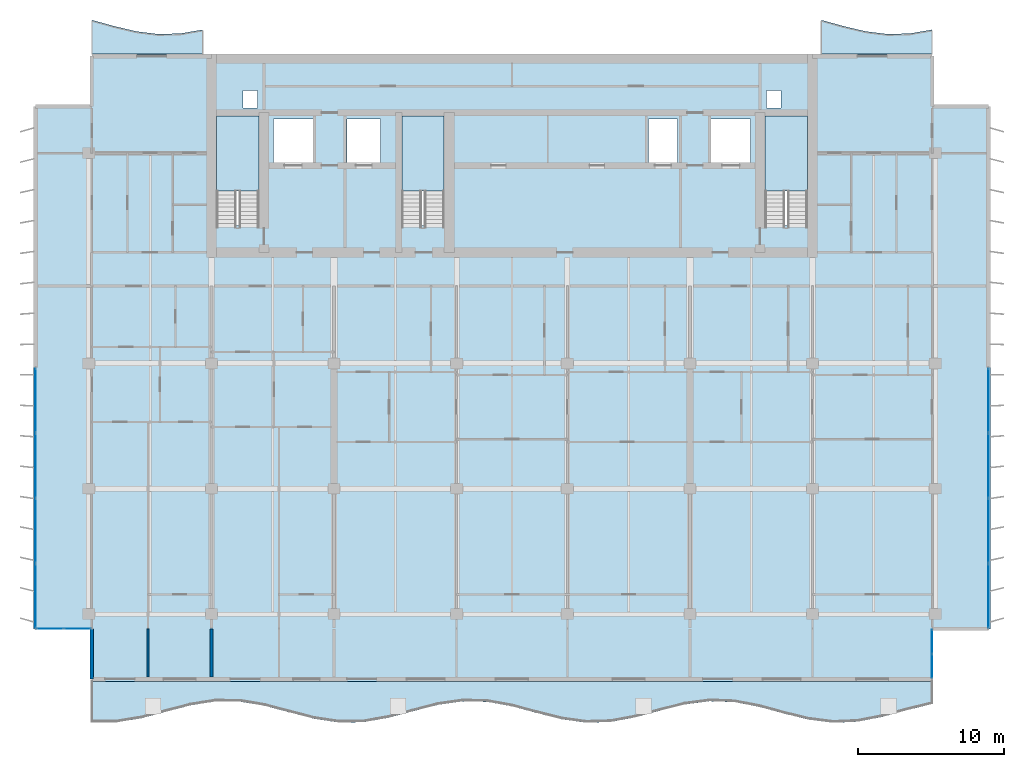
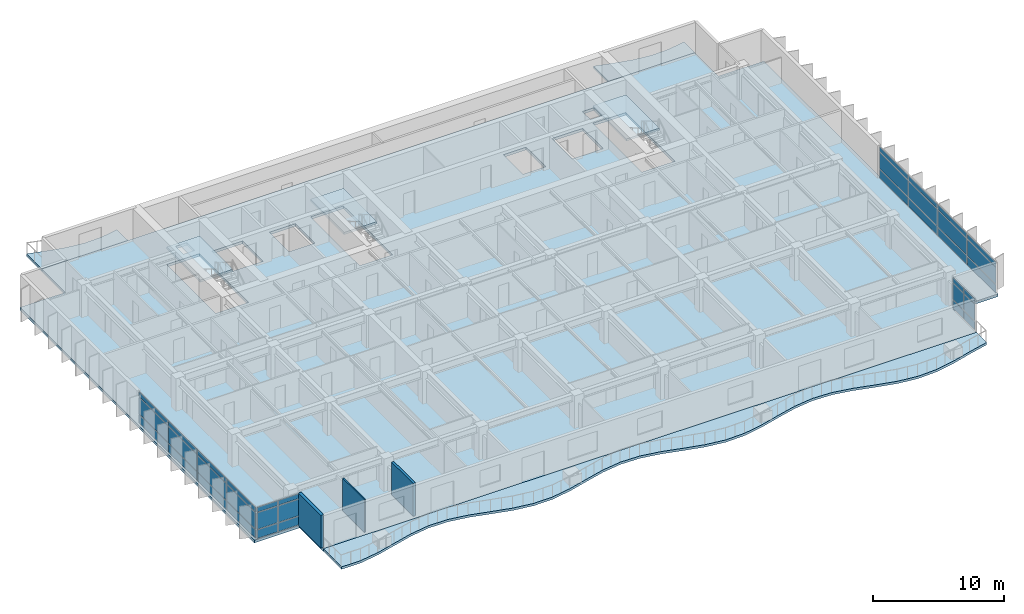
# One storey, part 6 of 16: 36 plates, 7 slabs, 3 walls, 7 elements without a shape of their own.
"""IFC4 building model written with IfcOpenShell, lengths in metres."""

from ifc_helpers import new_model, si_unit, direction, frame, frame_2d, origin, origin_2d, place, context, subcontext, project, spatial, polyline, rectangle, outline, extrude, material, layer, layer_set, type_object, element, aggregate, save


model = new_model("IFC4")

# Units and contexts
model_context = context("Model", 3, precision=1e-05, world=origin(), true_north=direction((0.0, 1.0)))
body_context = subcontext(model_context, "Body", "Model", "MODEL_VIEW")
ifc_project = project(units=[si_unit("LENGTHUNIT", "METRE"), si_unit("AREAUNIT", "SQUARE_METRE"), si_unit("VOLUMEUNIT", "CUBIC_METRE"), si_unit("PLANEANGLEUNIT", "RADIAN"), si_unit("MASSUNIT", "GRAM", prefix="KILO")], contexts=[model_context])

# Site, building, storey
site_placement = place(None, origin())
site = spatial("IfcSite", under=ifc_project, at=site_placement, CompositionType="ELEMENT")
building_placement = place(site_placement, origin())
building = spatial("IfcBuilding", under=site, at=building_placement, Name="Caelmar Bay Residences", CompositionType="ELEMENT")
storey_placement = place(building_placement, frame((0.0, 0.0, 198.300048828125)))
storey = spatial("IfcBuildingStorey", under=building, at=storey_placement, Name="L55", CompositionType="ELEMENT", Elevation=198.300048828125)

# Curtain wall, plates
ifc_material_1 = material(Name="Anodised bronze aluminium 6063-T6 and laminated glass", Category="aluminium")
ifc_layer_1 = layer(ifc_material_1, 0.179931640625)
ifc_layer_set_1 = layer_set([ifc_layer_1], Name="Anodised bronze aluminium 6063-T6 and laminated glass")
curtain_wall_type_1 = type_object("IfcCurtainWallType", Name="CW6-NTC", PredefinedType="NOTDEFINED", material=ifc_layer_set_1)
curtain_wall_1_placement = place(storey_placement, origin())
curtain_wall_1 = element("IfcCurtainWall", 1, at=curtain_wall_1_placement, inside=storey, type_object=curtain_wall_type_1, Name="CW6 curtain wall L55", PredefinedType="NOTDEFINED")
ifc_material_2 = material(Name="Bronze-tinted laminated low-E hurricane glass 28 mm", Category="glass")
ifc_layer_2 = layer(ifc_material_2, 0.028076171875)
ifc_layer_set_2 = layer_set([ifc_layer_2], Name="Bronze-tinted laminated low-E hurricane glass 28 mm")
plate_type = type_object("IfcPlateType", Name="CWP-GLZ28", PredefinedType="CURTAIN_PANEL", material=ifc_layer_set_2)
plate_1_placement = place(storey_placement, frame((7.232421875, 11.199951171875, 0.080078125), z_axis=(0.0, 0.0, 1.0), x_axis=(1.0, 0.0, 0.0)))
plate_1 = element("IfcPlate", 2, at=plate_1_placement, type_object=plate_type, Name="CW6 panel 1.1", PredefinedType="CURTAIN_PANEL", context=body_context, shape_type="SweptSolid", body=[
    extrude(rectangle(XDim=1.804931640625, YDim=0.028076171875, at=origin_2d()), origin(), (0.0, 0.0, 1.0), 0.780029296875),
])
plate_2_placement = place(storey_placement, frame((7.232421875, 11.199951171875, 0.93994140625), z_axis=(0.0, 0.0, 1.0), x_axis=(1.0, 0.0, 0.0)))
plate_2 = element("IfcPlate", 3, at=plate_2_placement, type_object=plate_type, Name="CW6 panel 1.2", PredefinedType="CURTAIN_PANEL", context=body_context, shape_type="SweptSolid", body=[
    extrude(rectangle(XDim=1.804931640625, YDim=0.028076171875, at=origin_2d()), origin(), (0.0, 0.0, 1.0), 1.52001953125),
])
plate_3_placement = place(storey_placement, frame((7.232421875, 11.199951171875, 2.5400390625), z_axis=(0.0, 0.0, 1.0), x_axis=(1.0, 0.0, 0.0)))
plate_3 = element("IfcPlate", 4, at=plate_3_placement, type_object=plate_type, Name="CW6 panel 1.3", PredefinedType="CURTAIN_PANEL", context=body_context, shape_type="SweptSolid", body=[
    extrude(rectangle(XDim=1.804931640625, YDim=0.028076171875, at=origin_2d()), origin(), (0.0, 0.0, 1.0), 0.429931640625),
])
plate_4_placement = place(storey_placement, frame((9.117431640625, 11.199951171875, 0.080078125), z_axis=(0.0, 0.0, 1.0), x_axis=(1.0, 0.0, 0.0)))
plate_4 = element("IfcPlate", 5, at=plate_4_placement, type_object=plate_type, Name="CW6 panel 2.1", PredefinedType="CURTAIN_PANEL", context=body_context, shape_type="SweptSolid", body=[
    extrude(rectangle(XDim=1.804931640625, YDim=0.028076171875, at=origin_2d()), origin(), (0.0, 0.0, 1.0), 0.780029296875),
])
plate_5_placement = place(storey_placement, frame((9.117431640625, 11.199951171875, 0.93994140625), z_axis=(0.0, 0.0, 1.0), x_axis=(1.0, 0.0, 0.0)))
plate_5 = element("IfcPlate", 6, at=plate_5_placement, type_object=plate_type, Name="CW6 panel 2.2", PredefinedType="CURTAIN_PANEL", context=body_context, shape_type="SweptSolid", body=[
    extrude(rectangle(XDim=1.804931640625, YDim=0.028076171875, at=origin_2d()), origin(), (0.0, 0.0, 1.0), 1.52001953125),
])
plate_6_placement = place(storey_placement, frame((9.117431640625, 11.199951171875, 2.5400390625), z_axis=(0.0, 0.0, 1.0), x_axis=(1.0, 0.0, 0.0)))
plate_6 = element("IfcPlate", 7, at=plate_6_placement, type_object=plate_type, Name="CW6 panel 2.3", PredefinedType="CURTAIN_PANEL", context=body_context, shape_type="SweptSolid", body=[
    extrude(rectangle(XDim=1.804931640625, YDim=0.028076171875, at=origin_2d()), origin(), (0.0, 0.0, 1.0), 0.429931640625),
])
aggregate(curtain_wall_1, [plate_1, plate_2, plate_3, plate_4, plate_5, plate_6])

curtain_wall_2_placement = place(storey_placement, origin())
curtain_wall_2 = element("IfcCurtainWall", 8, at=curtain_wall_2_placement, inside=storey, type_object=curtain_wall_type_1, Name="CW6 curtain wall L55", PredefinedType="NOTDEFINED")
plate_7_placement = place(storey_placement, frame((67.699951171875, 8.632568359375, 0.080078125), z_axis=(0.0, 0.0, 1.0), x_axis=(0.0, 1.0, 0.0)))
plate_7 = element("IfcPlate", 9, at=plate_7_placement, type_object=plate_type, Name="CW6 panel 1.1", PredefinedType="CURTAIN_PANEL", context=body_context, shape_type="SweptSolid", body=[
    extrude(rectangle(XDim=1.60498046875, YDim=0.028076171875, at=origin_2d()), origin(), (0.0, 0.0, 1.0), 0.780029296875),
])
plate_8_placement = place(storey_placement, frame((67.699951171875, 8.632568359375, 0.93994140625), z_axis=(0.0, 0.0, 1.0), x_axis=(0.0, 1.0, 0.0)))
plate_8 = element("IfcPlate", 10, at=plate_8_placement, type_object=plate_type, Name="CW6 panel 1.2", PredefinedType="CURTAIN_PANEL", context=body_context, shape_type="SweptSolid", body=[
    extrude(rectangle(XDim=1.60498046875, YDim=0.028076171875, at=origin_2d()), origin(), (0.0, 0.0, 1.0), 1.52001953125),
])
plate_9_placement = place(storey_placement, frame((67.699951171875, 8.632568359375, 2.5400390625), z_axis=(0.0, 0.0, 1.0), x_axis=(0.0, 1.0, 0.0)))
plate_9 = element("IfcPlate", 11, at=plate_9_placement, type_object=plate_type, Name="CW6 panel 1.3", PredefinedType="CURTAIN_PANEL", context=body_context, shape_type="SweptSolid", body=[
    extrude(rectangle(XDim=1.60498046875, YDim=0.028076171875, at=origin_2d()), origin(), (0.0, 0.0, 1.0), 0.429931640625),
])
plate_10_placement = place(storey_placement, frame((67.699951171875, 10.3173828125, 0.080078125), z_axis=(0.0, 0.0, 1.0), x_axis=(0.0, 1.0, 0.0)))
plate_10 = element("IfcPlate", 12, at=plate_10_placement, type_object=plate_type, Name="CW6 panel 2.1", PredefinedType="CURTAIN_PANEL", context=body_context, shape_type="SweptSolid", body=[
    extrude(rectangle(XDim=1.60498046875, YDim=0.028076171875, at=origin_2d()), origin(), (0.0, 0.0, 1.0), 0.780029296875),
])
plate_11_placement = place(storey_placement, frame((67.699951171875, 10.3173828125, 0.93994140625), z_axis=(0.0, 0.0, 1.0), x_axis=(0.0, 1.0, 0.0)))
plate_11 = element("IfcPlate", 13, at=plate_11_placement, type_object=plate_type, Name="CW6 panel 2.2", PredefinedType="CURTAIN_PANEL", context=body_context, shape_type="SweptSolid", body=[
    extrude(rectangle(XDim=1.60498046875, YDim=0.028076171875, at=origin_2d()), origin(), (0.0, 0.0, 1.0), 1.52001953125),
])
plate_12_placement = place(storey_placement, frame((67.699951171875, 10.3173828125, 2.5400390625), z_axis=(0.0, 0.0, 1.0), x_axis=(0.0, 1.0, 0.0)))
plate_12 = element("IfcPlate", 14, at=plate_12_placement, type_object=plate_type, Name="CW6 panel 2.3", PredefinedType="CURTAIN_PANEL", context=body_context, shape_type="SweptSolid", body=[
    extrude(rectangle(XDim=1.60498046875, YDim=0.028076171875, at=origin_2d()), origin(), (0.0, 0.0, 1.0), 0.429931640625),
])
aggregate(curtain_wall_2, [plate_7, plate_8, plate_9, plate_10, plate_11, plate_12])

ifc_layer_3 = layer(ifc_material_1, 0.179931640625)
ifc_layer_set_3 = layer_set([ifc_layer_3], Name="Anodised bronze aluminium 6063-T6 and laminated glass")
curtain_wall_type_2 = type_object("IfcCurtainWallType", Name="CW4-Z3", PredefinedType="NOTDEFINED", material=ifc_layer_set_3)
curtain_wall_3_placement = place(storey_placement, origin())
curtain_wall_3 = element("IfcCurtainWall", 15, at=curtain_wall_3_placement, inside=storey, type_object=curtain_wall_type_2, Name="CW4 curtain wall L55", PredefinedType="NOTDEFINED")
plate_13_placement = place(storey_placement, frame((6.25, 13.45751953125, 0.080078125), z_axis=(0.0, 0.0, 1.0), x_axis=(0.0, 1.0, 0.0)))
plate_13 = element("IfcPlate", 16, at=plate_13_placement, type_object=plate_type, Name="CW4 panel 1.1", PredefinedType="CURTAIN_PANEL", context=body_context, shape_type="SweptSolid", body=[
    extrude(rectangle(XDim=4.35498046875, YDim=0.028076171875, at=origin_2d()), origin(), (0.0, 0.0, 1.0), 0.780029296875),
])
plate_14_placement = place(storey_placement, frame((6.25, 13.45751953125, 0.93994140625), z_axis=(0.0, 0.0, 1.0), x_axis=(0.0, 1.0, 0.0)))
plate_14 = element("IfcPlate", 17, at=plate_14_placement, type_object=plate_type, Name="CW4 panel 1.2", PredefinedType="CURTAIN_PANEL", context=body_context, shape_type="SweptSolid", body=[
    extrude(rectangle(XDim=4.35498046875, YDim=0.028076171875, at=origin_2d()), origin(), (0.0, 0.0, 1.0), 1.52001953125),
])
plate_15_placement = place(storey_placement, frame((6.25, 13.45751953125, 2.5400390625), z_axis=(0.0, 0.0, 1.0), x_axis=(0.0, 1.0, 0.0)))
plate_15 = element("IfcPlate", 18, at=plate_15_placement, type_object=plate_type, Name="CW4 panel 1.3", PredefinedType="CURTAIN_PANEL", context=body_context, shape_type="SweptSolid", body=[
    extrude(rectangle(XDim=4.35498046875, YDim=0.028076171875, at=origin_2d()), origin(), (0.0, 0.0, 1.0), 0.429931640625),
])
plate_16_placement = place(storey_placement, frame((6.25, 17.91259765625, 0.080078125), z_axis=(0.0, 0.0, 1.0), x_axis=(0.0, 1.0, 0.0)))
plate_16 = element("IfcPlate", 19, at=plate_16_placement, type_object=plate_type, Name="CW4 panel 2.1", PredefinedType="CURTAIN_PANEL", context=body_context, shape_type="SweptSolid", body=[
    extrude(rectangle(XDim=4.39501953125, YDim=0.028076171875, at=origin_2d()), origin(), (0.0, 0.0, 1.0), 0.780029296875),
])
plate_17_placement = place(storey_placement, frame((6.25, 17.91259765625, 0.93994140625), z_axis=(0.0, 0.0, 1.0), x_axis=(0.0, 1.0, 0.0)))
plate_17 = element("IfcPlate", 20, at=plate_17_placement, type_object=plate_type, Name="CW4 panel 2.2", PredefinedType="CURTAIN_PANEL", context=body_context, shape_type="SweptSolid", body=[
    extrude(rectangle(XDim=4.39501953125, YDim=0.028076171875, at=origin_2d()), origin(), (0.0, 0.0, 1.0), 1.52001953125),
])
plate_18_placement = place(storey_placement, frame((6.25, 17.91259765625, 2.5400390625), z_axis=(0.0, 0.0, 1.0), x_axis=(0.0, 1.0, 0.0)))
plate_18 = element("IfcPlate", 21, at=plate_18_placement, type_object=plate_type, Name="CW4 panel 2.3", PredefinedType="CURTAIN_PANEL", context=body_context, shape_type="SweptSolid", body=[
    extrude(rectangle(XDim=4.39501953125, YDim=0.028076171875, at=origin_2d()), origin(), (0.0, 0.0, 1.0), 0.429931640625),
])
plate_19_placement = place(storey_placement, frame((6.25, 22.387451171875, 0.080078125), z_axis=(0.0, 0.0, 1.0), x_axis=(0.0, 1.0, 0.0)))
plate_19 = element("IfcPlate", 22, at=plate_19_placement, type_object=plate_type, Name="CW4 panel 3.1", PredefinedType="CURTAIN_PANEL", context=body_context, shape_type="SweptSolid", body=[
    extrude(rectangle(XDim=4.39501953125, YDim=0.028076171875, at=origin_2d()), origin(), (0.0, 0.0, 1.0), 0.780029296875),
])
plate_20_placement = place(storey_placement, frame((6.25, 22.387451171875, 0.93994140625), z_axis=(0.0, 0.0, 1.0), x_axis=(0.0, 1.0, 0.0)))
plate_20 = element("IfcPlate", 23, at=plate_20_placement, type_object=plate_type, Name="CW4 panel 3.2", PredefinedType="CURTAIN_PANEL", context=body_context, shape_type="SweptSolid", body=[
    extrude(rectangle(XDim=4.39501953125, YDim=0.028076171875, at=origin_2d()), origin(), (0.0, 0.0, 1.0), 1.52001953125),
])
plate_21_placement = place(storey_placement, frame((6.25, 22.387451171875, 2.5400390625), z_axis=(0.0, 0.0, 1.0), x_axis=(0.0, 1.0, 0.0)))
plate_21 = element("IfcPlate", 24, at=plate_21_placement, type_object=plate_type, Name="CW4 panel 3.3", PredefinedType="CURTAIN_PANEL", context=body_context, shape_type="SweptSolid", body=[
    extrude(rectangle(XDim=4.39501953125, YDim=0.028076171875, at=origin_2d()), origin(), (0.0, 0.0, 1.0), 0.429931640625),
])
plate_22_placement = place(storey_placement, frame((6.25, 26.842529296875, 0.080078125), z_axis=(0.0, 0.0, 1.0), x_axis=(0.0, 1.0, 0.0)))
plate_22 = element("IfcPlate", 25, at=plate_22_placement, type_object=plate_type, Name="CW4 panel 4.1", PredefinedType="CURTAIN_PANEL", context=body_context, shape_type="SweptSolid", body=[
    extrude(rectangle(XDim=4.35498046875, YDim=0.028076171875, at=origin_2d()), origin(), (0.0, 0.0, 1.0), 0.780029296875),
])
plate_23_placement = place(storey_placement, frame((6.25, 26.842529296875, 0.93994140625), z_axis=(0.0, 0.0, 1.0), x_axis=(0.0, 1.0, 0.0)))
plate_23 = element("IfcPlate", 26, at=plate_23_placement, type_object=plate_type, Name="CW4 panel 4.2", PredefinedType="CURTAIN_PANEL", context=body_context, shape_type="SweptSolid", body=[
    extrude(rectangle(XDim=4.35498046875, YDim=0.028076171875, at=origin_2d()), origin(), (0.0, 0.0, 1.0), 1.52001953125),
])
plate_24_placement = place(storey_placement, frame((6.25, 26.842529296875, 2.5400390625), z_axis=(0.0, 0.0, 1.0), x_axis=(0.0, 1.0, 0.0)))
plate_24 = element("IfcPlate", 27, at=plate_24_placement, type_object=plate_type, Name="CW4 panel 4.3", PredefinedType="CURTAIN_PANEL", context=body_context, shape_type="SweptSolid", body=[
    extrude(rectangle(XDim=4.35498046875, YDim=0.028076171875, at=origin_2d()), origin(), (0.0, 0.0, 1.0), 0.429931640625),
])
aggregate(curtain_wall_3, [plate_13, plate_14, plate_15, plate_16, plate_17, plate_18, plate_19, plate_20, plate_21, plate_22, plate_23, plate_24])

curtain_wall_4_placement = place(storey_placement, origin())
curtain_wall_4 = element("IfcCurtainWall", 28, at=curtain_wall_4_placement, inside=storey, type_object=curtain_wall_type_2, Name="CW4 curtain wall L55", PredefinedType="NOTDEFINED")
plate_25_placement = place(storey_placement, frame((71.550048828125, 26.842529296875, 0.080078125), z_axis=(0.0, 0.0, 1.0), x_axis=(0.0, -1.0, 0.0)))
plate_25 = element("IfcPlate", 29, at=plate_25_placement, type_object=plate_type, Name="CW4 panel 1.1", PredefinedType="CURTAIN_PANEL", context=body_context, shape_type="SweptSolid", body=[
    extrude(rectangle(XDim=4.35498046875, YDim=0.028076171875, at=origin_2d()), origin(), (0.0, 0.0, 1.0), 0.780029296875),
])
plate_26_placement = place(storey_placement, frame((71.550048828125, 26.842529296875, 0.93994140625), z_axis=(0.0, 0.0, 1.0), x_axis=(0.0, -1.0, 0.0)))
plate_26 = element("IfcPlate", 30, at=plate_26_placement, type_object=plate_type, Name="CW4 panel 1.2", PredefinedType="CURTAIN_PANEL", context=body_context, shape_type="SweptSolid", body=[
    extrude(rectangle(XDim=4.35498046875, YDim=0.028076171875, at=origin_2d()), origin(), (0.0, 0.0, 1.0), 1.52001953125),
])
plate_27_placement = place(storey_placement, frame((71.550048828125, 26.842529296875, 2.5400390625), z_axis=(0.0, 0.0, 1.0), x_axis=(0.0, -1.0, 0.0)))
plate_27 = element("IfcPlate", 31, at=plate_27_placement, type_object=plate_type, Name="CW4 panel 1.3", PredefinedType="CURTAIN_PANEL", context=body_context, shape_type="SweptSolid", body=[
    extrude(rectangle(XDim=4.35498046875, YDim=0.028076171875, at=origin_2d()), origin(), (0.0, 0.0, 1.0), 0.429931640625),
])
plate_28_placement = place(storey_placement, frame((71.550048828125, 22.387451171875, 0.080078125), z_axis=(0.0, 0.0, 1.0), x_axis=(0.0, -1.0, 0.0)))
plate_28 = element("IfcPlate", 32, at=plate_28_placement, type_object=plate_type, Name="CW4 panel 2.1", PredefinedType="CURTAIN_PANEL", context=body_context, shape_type="SweptSolid", body=[
    extrude(rectangle(XDim=4.39501953125, YDim=0.028076171875, at=origin_2d()), origin(), (0.0, 0.0, 1.0), 0.780029296875),
])
plate_29_placement = place(storey_placement, frame((71.550048828125, 22.387451171875, 0.93994140625), z_axis=(0.0, 0.0, 1.0), x_axis=(0.0, -1.0, 0.0)))
plate_29 = element("IfcPlate", 33, at=plate_29_placement, type_object=plate_type, Name="CW4 panel 2.2", PredefinedType="CURTAIN_PANEL", context=body_context, shape_type="SweptSolid", body=[
    extrude(rectangle(XDim=4.39501953125, YDim=0.028076171875, at=origin_2d()), origin(), (0.0, 0.0, 1.0), 1.52001953125),
])
plate_30_placement = place(storey_placement, frame((71.550048828125, 22.387451171875, 2.5400390625), z_axis=(0.0, 0.0, 1.0), x_axis=(0.0, -1.0, 0.0)))
plate_30 = element("IfcPlate", 34, at=plate_30_placement, type_object=plate_type, Name="CW4 panel 2.3", PredefinedType="CURTAIN_PANEL", context=body_context, shape_type="SweptSolid", body=[
    extrude(rectangle(XDim=4.39501953125, YDim=0.028076171875, at=origin_2d()), origin(), (0.0, 0.0, 1.0), 0.429931640625),
])
plate_31_placement = place(storey_placement, frame((71.550048828125, 17.91259765625, 0.080078125), z_axis=(0.0, 0.0, 1.0), x_axis=(0.0, -1.0, 0.0)))
plate_31 = element("IfcPlate", 35, at=plate_31_placement, type_object=plate_type, Name="CW4 panel 3.1", PredefinedType="CURTAIN_PANEL", context=body_context, shape_type="SweptSolid", body=[
    extrude(rectangle(XDim=4.39501953125, YDim=0.028076171875, at=origin_2d()), origin(), (0.0, 0.0, 1.0), 0.780029296875),
])
plate_32_placement = place(storey_placement, frame((71.550048828125, 17.91259765625, 0.93994140625), z_axis=(0.0, 0.0, 1.0), x_axis=(0.0, -1.0, 0.0)))
plate_32 = element("IfcPlate", 36, at=plate_32_placement, type_object=plate_type, Name="CW4 panel 3.2", PredefinedType="CURTAIN_PANEL", context=body_context, shape_type="SweptSolid", body=[
    extrude(rectangle(XDim=4.39501953125, YDim=0.028076171875, at=origin_2d()), origin(), (0.0, 0.0, 1.0), 1.52001953125),
])
plate_33_placement = place(storey_placement, frame((71.550048828125, 17.91259765625, 2.5400390625), z_axis=(0.0, 0.0, 1.0), x_axis=(0.0, -1.0, 0.0)))
plate_33 = element("IfcPlate", 37, at=plate_33_placement, type_object=plate_type, Name="CW4 panel 3.3", PredefinedType="CURTAIN_PANEL", context=body_context, shape_type="SweptSolid", body=[
    extrude(rectangle(XDim=4.39501953125, YDim=0.028076171875, at=origin_2d()), origin(), (0.0, 0.0, 1.0), 0.429931640625),
])
plate_34_placement = place(storey_placement, frame((71.550048828125, 13.45751953125, 0.080078125), z_axis=(0.0, 0.0, 1.0), x_axis=(0.0, -1.0, 0.0)))
plate_34 = element("IfcPlate", 38, at=plate_34_placement, type_object=plate_type, Name="CW4 panel 4.1", PredefinedType="CURTAIN_PANEL", context=body_context, shape_type="SweptSolid", body=[
    extrude(rectangle(XDim=4.35498046875, YDim=0.028076171875, at=origin_2d()), origin(), (0.0, 0.0, 1.0), 0.780029296875),
])
plate_35_placement = place(storey_placement, frame((71.550048828125, 13.45751953125, 0.93994140625), z_axis=(0.0, 0.0, 1.0), x_axis=(0.0, -1.0, 0.0)))
plate_35 = element("IfcPlate", 39, at=plate_35_placement, type_object=plate_type, Name="CW4 panel 4.2", PredefinedType="CURTAIN_PANEL", context=body_context, shape_type="SweptSolid", body=[
    extrude(rectangle(XDim=4.35498046875, YDim=0.028076171875, at=origin_2d()), origin(), (0.0, 0.0, 1.0), 1.52001953125),
])
plate_36_placement = place(storey_placement, frame((71.550048828125, 13.45751953125, 2.5400390625), z_axis=(0.0, 0.0, 1.0), x_axis=(0.0, -1.0, 0.0)))
plate_36 = element("IfcPlate", 40, at=plate_36_placement, type_object=plate_type, Name="CW4 panel 4.3", PredefinedType="CURTAIN_PANEL", context=body_context, shape_type="SweptSolid", body=[
    extrude(rectangle(XDim=4.35498046875, YDim=0.028076171875, at=origin_2d()), origin(), (0.0, 0.0, 1.0), 0.429931640625),
])
aggregate(curtain_wall_4, [plate_25, plate_26, plate_27, plate_28, plate_29, plate_30, plate_31, plate_32, plate_33, plate_34, plate_35, plate_36])

# Slabs
ifc_material_3 = material(Name="Concrete f'c 40 MPa (6,000 psi)", Category="concrete")
ifc_layer_4 = layer(ifc_material_3, 0.219970703125)
ifc_layer_set_4 = layer_set([ifc_layer_4], Name="Concrete f'c 40 MPa (6,000 psi)")
slab_type_1 = type_object("IfcSlabType", Name="SLB-BAL-220", PredefinedType="FLOOR", material=ifc_layer_set_4)
slab_1_placement = place(storey_placement, frame((0.0, 0.0, -0.219970703125)))
element("IfcSlab", 41, at=slab_1_placement, inside=storey, type_object=slab_type_1, Name="L55 Sinusoidal Tree-Balcony Slab south", PredefinedType="FLOOR", context=body_context, shape_type="SweptSolid", body=[
    extrude(outline(polyline([(10.10009765625, 4.78662109375), (11.794189453125, 4.787841796875), (13.48828125, 5.065673828125), (15.182373046875, 5.511962890625), (16.87646484375, 5.95361328125), (18.570556640625, 6.21923828125), (20.2646484375, 6.20556640625), (21.958740234375, 5.918212890625), (23.65283203125, 5.46826171875), (25.34716796875, 5.03076171875), (27.041259765625, 4.775390625), (28.7353515625, 4.801513671875), (30.429443359375, 5.098388671875), (32.12353515625, 5.551513671875), (33.817626953125, 5.984375), (35.51171875, 6.2294921875), (37.205810546875, 6.191162109375), (38.89990234375, 5.884765625), (40.593994140625, 5.4287109375), (42.2880859375, 5.00048828125), (43.982421875, 4.76611328125), (45.676513671875, 4.816650390625), (47.37060546875, 5.132568359375), (49.064697265625, 5.5908203125), (50.7587890625, 6.013916015625), (52.452880859375, 6.237548828125), (54.147216796875, 6.1748046875), (55.84130859375, 5.85009765625), (57.535400390625, 5.389404296875), (59.2294921875, 4.9716796875), (60.923583984375, 4.759033203125), (62.61767578125, 4.833984375), (64.311767578125, 5.16748046875), (66.005859375, 5.6298828125), (67.699951171875, 6.0419921875), (67.699951171875, 7.60009765625), (10.10009765625, 7.60009765625), (10.10009765625, 4.78662109375)])), origin(), (0.0, 0.0, 1.0), 0.219970703125),
])
slab_2_placement = place(storey_placement, frame((0.0, 0.0, -0.219970703125)))
element("IfcSlab", 42, at=slab_2_placement, inside=storey, type_object=slab_type_1, Name="L55 Sinusoidal Tree-Balcony Slab north_west", PredefinedType="FLOOR", context=body_context, shape_type="SweptSolid", body=[
    extrude(outline(polyline([(10.10009765625, 50.60009765625), (17.699951171875, 50.60009765625), (17.699951171875, 52.268310546875), (16.179931640625, 52.006103515625), (14.659912109375, 51.962158203125), (13.139892578125, 52.150146484375), (11.6201171875, 52.51123046875), (10.10009765625, 52.931884765625), (10.10009765625, 50.60009765625)])), origin(), (0.0, 0.0, 1.0), 0.219970703125),
])
slab_3_placement = place(storey_placement, frame((0.0, 0.0, -0.219970703125)))
element("IfcSlab", 43, at=slab_3_placement, inside=storey, type_object=slab_type_1, Name="L55 Sinusoidal Tree-Balcony Slab north_east", PredefinedType="FLOOR", context=body_context, shape_type="SweptSolid", body=[
    extrude(outline(polyline([(60.10009765625, 50.60009765625), (67.699951171875, 50.60009765625), (67.699951171875, 52.268310546875), (66.179931640625, 52.006103515625), (64.659912109375, 51.962158203125), (63.139892578125, 52.150146484375), (61.6201171875, 52.51123046875), (60.10009765625, 52.931884765625), (60.10009765625, 50.60009765625)])), origin(), (0.0, 0.0, 1.0), 0.219970703125),
])

# Stair, slab
stair_type = type_object("IfcStairType", Name="ST-TYP-165", PredefinedType="HALF_TURN_STAIR", material=ifc_material_3)
stair_1_placement = place(storey_placement, origin())
stair_1 = element("IfcStair", 44, at=stair_1_placement, inside=storey, type_object=stair_type, Name="L55 West Smokeproof Exit Stair ST1", PredefinedType="HALF_TURN_STAIR")
ifc_layer_5 = layer(ifc_material_3, 0.199951171875)
ifc_layer_set_5 = layer_set([ifc_layer_5], Name="Concrete f'c 40 MPa (6,000 psi)")
slab_type_2 = type_object("IfcSlabType", Name="SLB-LND-200", PredefinedType="LANDING", material=ifc_layer_set_5)
slab_4_placement = place(storey_placement, frame((0.0, 0.0, 1.449951171875)))
slab_4 = element("IfcSlab", 45, at=slab_4_placement, type_object=slab_type_2, Name="ST1 landing 1", PredefinedType="LANDING", context=body_context, shape_type="SweptSolid", body=[
    extrude(outline(polyline([(21.550048828125, 41.219970703125), (21.550048828125, 46.35009765625), (18.64990234375, 46.35009765625), (18.64990234375, 41.219970703125), (21.550048828125, 41.219970703125)])), origin(), (0.0, 0.0, 1.0), 0.199951171875),
])
aggregate(stair_1, [slab_4])

stair_2_placement = place(storey_placement, origin())
stair_2 = element("IfcStair", 46, at=stair_2_placement, inside=storey, type_object=stair_type, Name="L55 East Smokeproof Exit Stair ST2", PredefinedType="HALF_TURN_STAIR")
slab_5_placement = place(storey_placement, frame((0.0, 0.0, 1.449951171875)))
slab_5 = element("IfcSlab", 47, at=slab_5_placement, type_object=slab_type_2, Name="ST2 landing 1", PredefinedType="LANDING", context=body_context, shape_type="SweptSolid", body=[
    extrude(outline(polyline([(59.14990234375, 41.219970703125), (59.14990234375, 46.35009765625), (56.25, 46.35009765625), (56.25, 41.219970703125), (59.14990234375, 41.219970703125)])), origin(), (0.0, 0.0, 1.0), 0.199951171875),
])
aggregate(stair_2, [slab_5])

stair_3_placement = place(storey_placement, origin())
stair_3 = element("IfcStair", 48, at=stair_3_placement, inside=storey, type_object=stair_type, Name="L55 Central Smokeproof Exit Stair ST3", PredefinedType="HALF_TURN_STAIR")
slab_6_placement = place(storey_placement, frame((0.0, 0.0, 1.449951171875)))
slab_6 = element("IfcSlab", 49, at=slab_6_placement, type_object=slab_type_2, Name="ST3 landing 1", PredefinedType="LANDING", context=body_context, shape_type="SweptSolid", body=[
    extrude(outline(polyline([(34.25, 41.219970703125), (34.25, 46.35009765625), (31.35009765625, 46.35009765625), (31.35009765625, 41.219970703125), (34.25, 41.219970703125)])), origin(), (0.0, 0.0, 1.0), 0.199951171875),
])
aggregate(stair_3, [slab_6])

# Slab
ifc_layer_6 = layer(ifc_material_3, 0.25)
ifc_layer_set_6 = layer_set([ifc_layer_6], Name="Concrete f'c 40 MPa (6,000 psi)")
slab_type_3 = type_object("IfcSlabType", Name="SLB-RES-250", PredefinedType="FLOOR", material=ifc_layer_set_6)
slab_7_placement = place(storey_placement, frame((0.0, 0.0, -0.25)))
element("IfcSlab", 50, at=slab_7_placement, inside=storey, type_object=slab_type_3, Name="L55 Structural Floor Slab", PredefinedType="FLOOR", context=body_context, shape_type="SweptSolid", body=[
    extrude(outline(polyline([(10.10009765625, 7.60009765625), (67.699951171875, 7.60009765625), (67.699951171875, 11.199951171875), (71.699951171875, 11.199951171875), (71.699951171875, 47.0), (67.699951171875, 47.0), (67.699951171875, 50.60009765625), (10.10009765625, 50.60009765625), (10.10009765625, 47.0), (6.10009765625, 47.0), (6.10009765625, 11.199951171875), (10.10009765625, 11.199951171875), (10.10009765625, 7.60009765625)]), holes=[polyline([(18.64990234375, 38.85009765625), (21.550048828125, 38.85009765625), (21.550048828125, 46.35009765625), (18.64990234375, 46.35009765625), (18.64990234375, 38.85009765625)]), polyline([(56.25, 38.85009765625), (59.14990234375, 38.85009765625), (59.14990234375, 46.35009765625), (56.25, 46.35009765625), (56.25, 38.85009765625)]), polyline([(31.35009765625, 38.85009765625), (34.25, 38.85009765625), (34.25, 46.35009765625), (31.35009765625, 46.35009765625), (31.35009765625, 38.85009765625)]), polyline([(22.550048828125, 43.050048828125), (25.25, 43.050048828125), (25.25, 46.14990234375), (22.550048828125, 46.14990234375), (22.550048828125, 43.050048828125)]), polyline([(52.550048828125, 43.050048828125), (55.25, 43.050048828125), (55.25, 46.14990234375), (52.550048828125, 46.14990234375), (52.550048828125, 43.050048828125)]), polyline([(48.25, 43.14990234375), (50.25, 43.14990234375), (50.25, 46.14990234375), (48.25, 46.14990234375), (48.25, 43.14990234375)]), polyline([(27.60009765625, 43.14990234375), (29.89990234375, 43.14990234375), (29.89990234375, 46.14990234375), (27.60009765625, 46.14990234375), (27.60009765625, 43.14990234375)]), polyline([(20.449951171875, 46.89990234375), (21.449951171875, 46.89990234375), (21.449951171875, 48.10009765625), (20.449951171875, 48.10009765625), (20.449951171875, 46.89990234375)]), polyline([(56.35009765625, 46.89990234375), (57.35009765625, 46.89990234375), (57.35009765625, 48.10009765625), (56.35009765625, 48.10009765625), (56.35009765625, 46.89990234375)])]), origin(), (0.0, 0.0, 1.0), 0.25),
])

# Walls
ifc_material_4 = material(Name="Precast concrete f'c 40 MPa (6,000 psi)", Category="concrete")
ifc_layer_7 = layer(ifc_material_4, 0.25)
ifc_layer_set_7 = layer_set([ifc_layer_7], Name="Precast concrete f'c 40 MPa (6,000 psi)")
wall_type_1 = type_object("IfcWallType", Name="W-EXT-250", PredefinedType="ELEMENTEDWALL", material=ifc_layer_set_7)
wall_1_placement = place(storey_placement, frame((10.10009765625, 11.199951171875, 0.0), z_axis=(0.0, 0.0, 1.0), x_axis=(0.0, -1.0, 0.0)))
element("IfcWall", 51, at=wall_1_placement, inside=storey, type_object=wall_type_1, Name="L55 SW Notch Return Wall", PredefinedType="ELEMENTEDWALL", context=body_context, shape_type="SweptSolid", body=[
    extrude(rectangle(XDim=3.449951171875, YDim=0.25, at=frame_2d((1.72509765625, 0.0))), origin(), (0.0, 0.0, 1.0), 3.050048828125),
])
ifc_material_5 = material(Name="Acoustic metal-stud gypsum partition 120 mm")
ifc_layer_8 = layer(ifc_material_5, 0.1201171875)
ifc_layer_set_8 = layer_set([ifc_layer_8], Name="Acoustic metal-stud gypsum partition 120 mm")
wall_type_2 = type_object("IfcWallType", Name="W-PRT-120", PredefinedType="PARTITIONING", material=ifc_layer_set_8)
wall_2_placement = place(storey_placement, frame((13.9541015625, 7.89501953125, 0.0), z_axis=(0.0, 0.0, 1.0), x_axis=(0.0, 1.0, 0.0)))
element("IfcWall", 52, at=wall_2_placement, inside=storey, type_object=wall_type_2, Name="L55 Partition Wall V006", PredefinedType="PARTITIONING", context=body_context, shape_type="SweptSolid", body=[
    extrude(rectangle(XDim=3.304931640625, YDim=0.1201171875, at=frame_2d((1.65234375, 0.0))), origin(), (0.0, 0.0, 1.0), 3.050048828125),
])
ifc_material_6 = material(Name="Acoustic twin-stud fire-rated inter-tenancy partition 200 mm")
ifc_layer_9 = layer(ifc_material_6, 0.199951171875)
ifc_layer_set_9 = layer_set([ifc_layer_9], Name="Acoustic twin-stud fire-rated inter-tenancy partition 200 mm")
wall_type_3 = type_object("IfcWallType", Name="W-PTY-200", PredefinedType="PARTITIONING", material=ifc_layer_set_9)
wall_3_placement = place(storey_placement, frame((18.300048828125, 7.89501953125, 0.0), z_axis=(0.0, 0.0, 1.0), x_axis=(0.0, 1.0, 0.0)))
element("IfcWall", 53, at=wall_3_placement, inside=storey, type_object=wall_type_3, Name="L55 Partition Wall V011", PredefinedType="PARTITIONING", context=body_context, shape_type="SweptSolid", body=[
    extrude(rectangle(XDim=3.304931640625, YDim=0.199951171875, at=frame_2d((1.65234375, 0.0))), origin(), (0.0, 0.0, 1.0), 3.050048828125),
])

save(model, "model.ifc")
